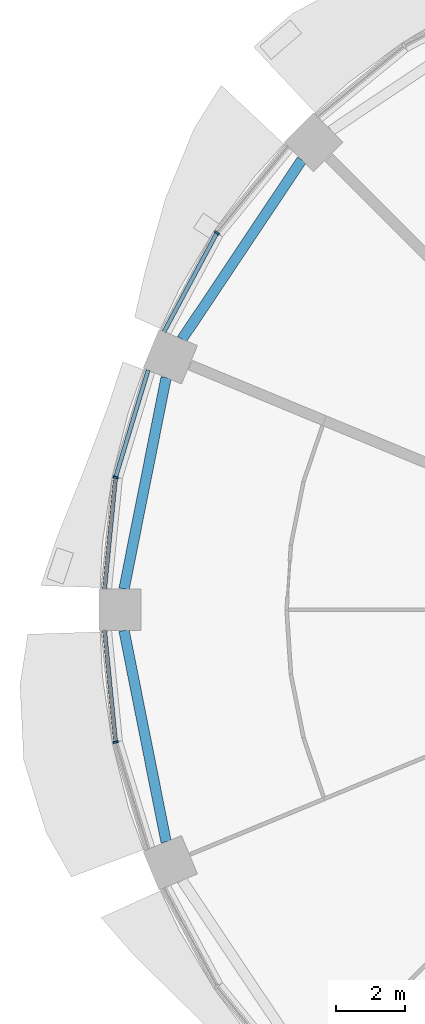
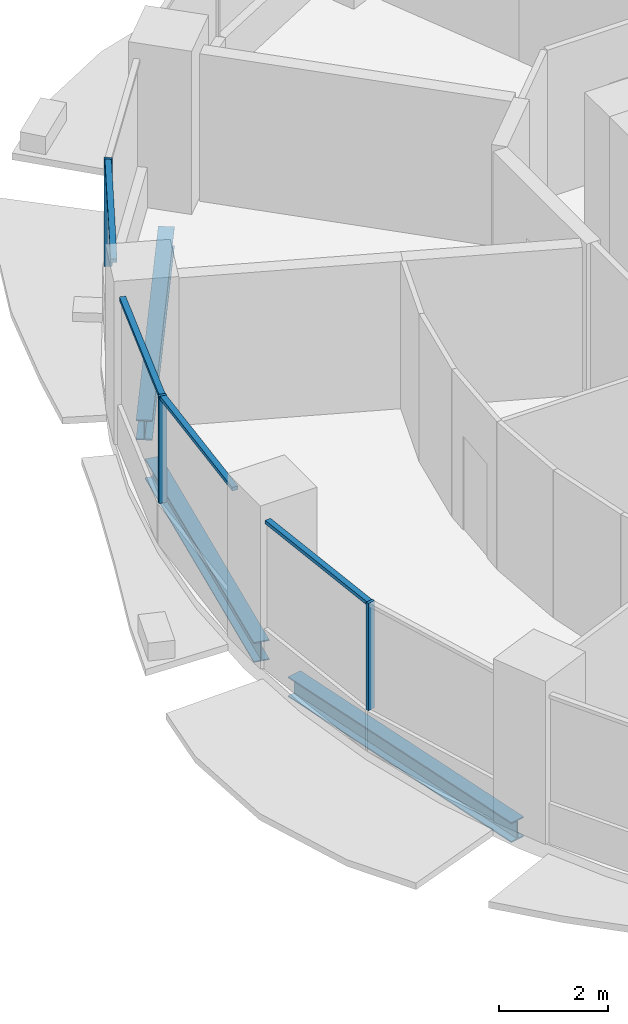
# One storey, part 4 of 15: 7 members, 3 beams, 3 elements without a shape of their own.
"""IFC4 building model written with IfcOpenShell, lengths in metres."""

from ifc_helpers import new_model, si_unit, direction, frame, origin, origin_2d, place, context, subcontext, project, spatial, rectangle, i_section, extrude, material, material_profile, profile_set, type_object, element, aggregate, save


model = new_model("IFC4")

# Units and contexts
model_context = context("Model", 3, precision=1e-05, world=origin(), true_north=direction((0.0, 1.0)))
body_context = subcontext(model_context, "Body", "Model", "MODEL_VIEW")
ifc_project = project(units=[si_unit("LENGTHUNIT", "METRE"), si_unit("AREAUNIT", "SQUARE_METRE"), si_unit("VOLUMEUNIT", "CUBIC_METRE"), si_unit("PLANEANGLEUNIT", "RADIAN"), si_unit("MASSUNIT", "GRAM", prefix="KILO")], contexts=[model_context])

# Site, building, storey
site_placement = place(None, origin())
site = spatial("IfcSite", under=ifc_project, at=site_placement, CompositionType="ELEMENT")
building_placement = place(site_placement, origin())
building = spatial("IfcBuilding", under=site, at=building_placement, Name="Polderwave Tower", CompositionType="ELEMENT")
storey_placement = place(building_placement, frame((0.0, 0.0, 55.39990234375)))
storey = spatial("IfcBuildingStorey", under=building, at=storey_placement, Name="L14", CompositionType="ELEMENT", Elevation=55.39990234375)

# Curtain wall, member
ifc_material_1 = material(Name="Aluminium 6063-T6 and glass", Category="aluminium")
curtain_wall_type = type_object("IfcCurtainWallType", Name="Growing floor ribbon glazing wall", PredefinedType="NOTDEFINED", material=ifc_material_1)
curtain_wall_1_placement = place(storey_placement, origin())
curtain_wall_1 = element("IfcCurtainWall", 1, at=curtain_wall_1_placement, inside=storey, type_object=curtain_wall_type, Name="CW2 L14 06", PredefinedType="NOTDEFINED")
ifc_material_2 = material(Name="Aluminium 6063-T6", Category="aluminium")
ifc_material_profile_1 = material_profile(ifc_material_2, rectangle(XDim=0.14990234375, YDim=0.06005859375, at=origin_2d()), Name="AL 60x150")
ifc_profile_set_1 = profile_set([ifc_material_profile_1], Name="Aluminium 6063-T6")
member_type_1 = type_object("IfcMemberType", Name="Growing floor ribbon glazing mullion 60x150", PredefinedType="MULLION", material=ifc_profile_set_1)
member_1_placement = place(storey_placement, frame((-16.239013671875, 10.85009765625, 0.900146484375), z_axis=(0.0, 0.0, 1.0), x_axis=(0.83146573367, -0.555576037759, 0.0)))
member_1 = element("IfcMember", 2, at=member_1_placement, type_object=member_type_1, Name="CW2 mullion 1", PredefinedType="MULLION", context=body_context, shape_type="SweptSolid", body=[
    extrude(rectangle(XDim=0.14990234375, YDim=0.06005859375, at=origin_2d()), origin(), (0.0, 0.0, 1.0), 2.39990234375),
])

curtain_wall_2_placement = place(storey_placement, origin())
curtain_wall_2 = element("IfcCurtainWall", 3, at=curtain_wall_2_placement, inside=storey, type_object=curtain_wall_type, Name="CW2 L14 07", PredefinedType="NOTDEFINED")
member_2_placement = place(storey_placement, frame((-19.155029296875, 3.81005859375, 0.900146484375), z_axis=(0.0, 0.0, 1.0), x_axis=(0.980773701784, -0.195148522643, 0.0)))
member_2 = element("IfcMember", 4, at=member_2_placement, type_object=member_type_1, Name="CW2 mullion 1", PredefinedType="MULLION", context=body_context, shape_type="SweptSolid", body=[
    extrude(rectangle(XDim=0.14990234375, YDim=0.06005859375, at=origin_2d()), origin(), (0.0, 0.0, 1.0), 2.39990234375),
])

curtain_wall_3_placement = place(storey_placement, origin())
curtain_wall_3 = element("IfcCurtainWall", 5, at=curtain_wall_3_placement, inside=storey, type_object=curtain_wall_type, Name="CW2 L14 08", PredefinedType="NOTDEFINED")
member_3_placement = place(storey_placement, frame((-19.155029296875, -3.81005859375, 0.900146484375), z_axis=(0.0, 0.0, 1.0), x_axis=(0.980773701784, 0.195148522643, 0.0)))
member_3 = element("IfcMember", 6, at=member_3_placement, type_object=member_type_1, Name="CW2 mullion 1", PredefinedType="MULLION", context=body_context, shape_type="SweptSolid", body=[
    extrude(rectangle(XDim=0.14990234375, YDim=0.06005859375, at=origin_2d()), origin(), (0.0, 0.0, 1.0), 2.39990234375),
])

# Member
ifc_material_profile_2 = material_profile(ifc_material_2, rectangle(XDim=0.1201171875, YDim=0.080078125, at=origin_2d()), Name="AL 80x120")
ifc_profile_set_2 = profile_set([ifc_material_profile_2], Name="Aluminium 6063-T6")
member_type_2 = type_object("IfcMemberType", Name="Growing floor ribbon glazing transom 80x120", PredefinedType="USERDEFINED", material=ifc_profile_set_2)
member_4_placement = place(storey_placement, frame((-16.253173828125, 10.823486328125, 3.260009765625), z_axis=(-0.471381370673, -0.881929477556, 0.0), x_axis=(0.881929477556, -0.471381370673, 0.0)))
member_4 = element("IfcMember", 7, at=member_4_placement, type_object=member_type_2, Name="CW2 transom 2", ObjectType="TRANSOM", PredefinedType="USERDEFINED", context=body_context, shape_type="SweptSolid", body=[
    extrude(rectangle(XDim=0.1201171875, YDim=0.080078125, at=origin_2d()), origin(), (0.0, 0.0, 1.0), 3.194580078125),
])

aggregate(curtain_wall_1, [member_1, member_4])

member_5_placement = place(storey_placement, frame((-18.218017578125, 6.89697265625, 3.260009765625), z_axis=(-0.290422902272, -0.95689839473, 0.0), x_axis=(0.95689839473, -0.290422902272, 0.0)))
member_5 = element("IfcMember", 8, at=member_5_placement, type_object=member_type_2, Name="CW2 transom 1", ObjectType="TRANSOM", PredefinedType="USERDEFINED", context=body_context, shape_type="SweptSolid", body=[
    extrude(rectangle(XDim=0.1201171875, YDim=0.080078125, at=origin_2d()), origin(), (0.0, 0.0, 1.0), 3.196044921875),
])

member_6_placement = place(storey_placement, frame((-19.157958984375, 3.780029296875, 3.260009765625), z_axis=(-0.097952778777, -0.99519106363, 0.0), x_axis=(0.99519106363, -0.097952778777, 0.0)))
member_6 = element("IfcMember", 9, at=member_6_placement, type_object=member_type_2, Name="CW2 transom 2", ObjectType="TRANSOM", PredefinedType="USERDEFINED", context=body_context, shape_type="SweptSolid", body=[
    extrude(rectangle(XDim=0.1201171875, YDim=0.080078125, at=origin_2d()), origin(), (0.0, 0.0, 1.0), 3.1953125),
])

aggregate(curtain_wall_2, [member_2, member_5, member_6])

member_7_placement = place(storey_placement, frame((-19.470947265625, -0.60009765625, 3.260009765625), z_axis=(0.097952778777, -0.99519106363, 0.0), x_axis=(0.99519106363, 0.097952778777, 0.0)))
member_7 = element("IfcMember", 10, at=member_7_placement, type_object=member_type_2, Name="CW2 transom 1", ObjectType="TRANSOM", PredefinedType="USERDEFINED", context=body_context, shape_type="SweptSolid", body=[
    extrude(rectangle(XDim=0.1201171875, YDim=0.080078125, at=origin_2d()), origin(), (0.0, 0.0, 1.0), 3.1953125),
])

aggregate(curtain_wall_3, [member_3, member_7])

# Beams
ifc_material_3 = material(Name="Steel S355", Category="steel")
ifc_material_profile_3 = material_profile(ifc_material_3, i_section(OverallWidth=0.300048828125, OverallDepth=0.449951171875, WebThickness=0.013916015625, FlangeThickness=0.02587890625, at=origin_2d()), Name="HE 450 B")
ifc_profile_set_3 = profile_set([ifc_material_profile_3], Name="Steel S355")
beam_type = type_object("IfcBeamType", Name="RING BEAM HE 450 B", PredefinedType="BEAM", material=ifc_profile_set_3)
beam_placement = place(storey_placement, frame((-13.796142578125, 12.947509765625, -0.574951171875), z_axis=(-0.555553875554, -0.831480541779, 0.0), x_axis=(0.831480541779, -0.555553875554, 0.0)))
element("IfcBeam", 11, at=beam_placement, inside=storey, type_object=beam_type, Name="ST-RB-L14-06", PredefinedType="BEAM", context=body_context, shape_type="SweptSolid", body=[
    extrude(i_section(OverallWidth=0.300048828125, OverallDepth=0.449951171875, WebThickness=0.013916015625, FlangeThickness=0.02587890625, at=origin_2d()), origin(), (0.0, 0.0, 1.0), 6.20166015625),
])
for number, where, z_axis, x_axis, name in (
    (12, (-17.70068359375, 6.682373046875, -0.574951171875), (-0.195109112701, -0.980781542517, 0.0), (0.980781542517, -0.195109112701, 0.0), "ST-RB-L14-07"),
    (13, (-18.91064453125, -0.60009765625, -0.574951171875), (0.195109112701, -0.980781542517, 0.0), (0.980781542517, 0.195109112701, 0.0), "ST-RB-L14-08"),
):
    element("IfcBeam", number, at=place(storey_placement, frame(where, z_axis=z_axis, x_axis=x_axis)), inside=storey, type_object=beam_type, Name=name, PredefinedType="BEAM", context=body_context, shape_type="SweptSolid", body=[
        extrude(i_section(OverallWidth=0.300048828125, OverallDepth=0.449951171875, WebThickness=0.013916015625, FlangeThickness=0.02587890625, at=origin_2d()), origin(), (0.0, 0.0, 1.0), 6.201416015625),
    ])

save(model, "model.ifc")
